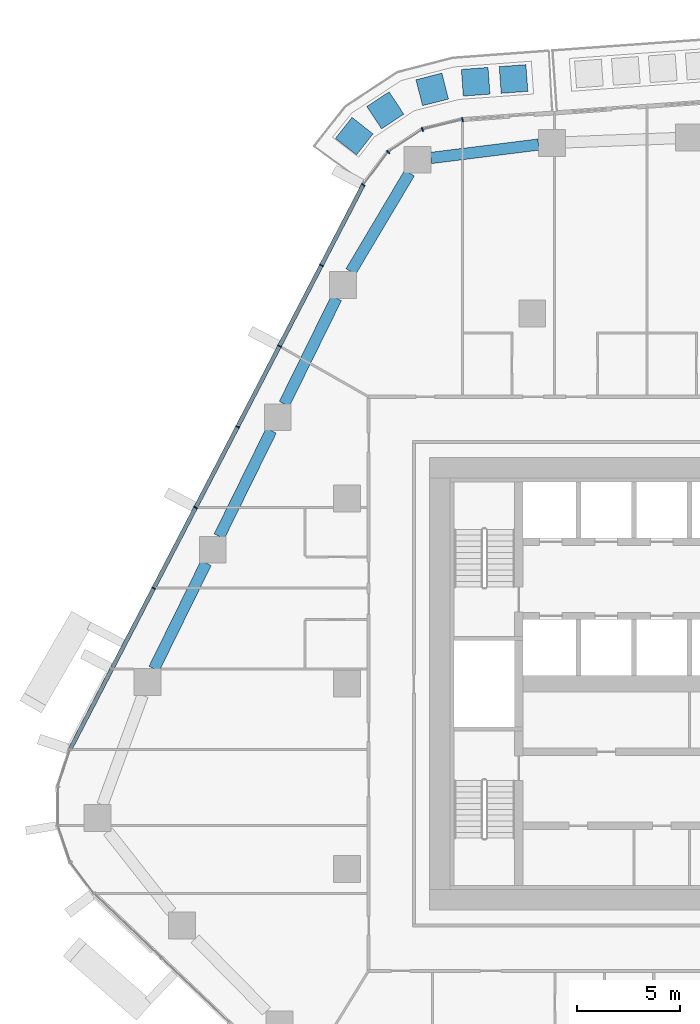
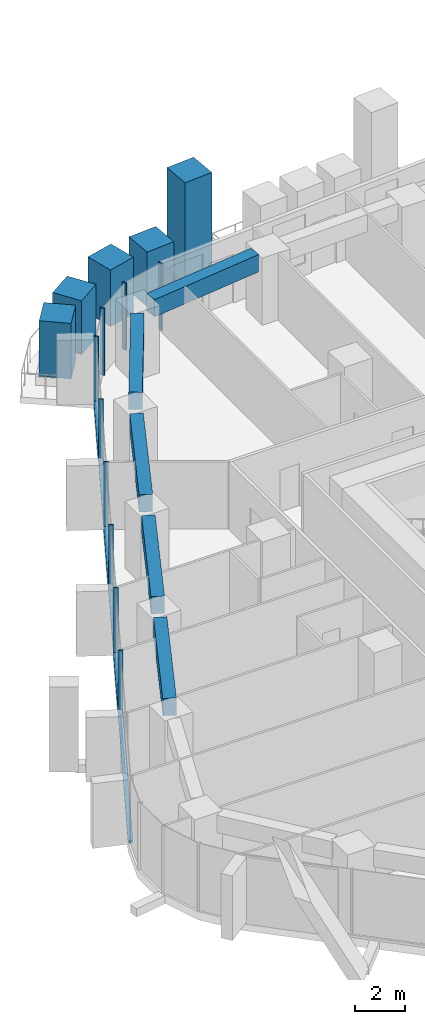
# One storey, part 6 of 24: 15 members, 5 beams, 2 elements without a shape of their own.
"""IFC4 building model written with IfcOpenShell, lengths in metres."""

from ifc_helpers import new_model, si_unit, direction, frame, origin, origin_2d, place, context, subcontext, project, spatial, rectangle, extrude, material, layer, layer_set, material_profile, profile_set, type_object, element, aggregate, save


model = new_model("IFC4")

# Units and contexts
model_context = context("Model", 3, precision=1e-05, world=origin(), true_north=direction((0.0, 1.0)))
body_context = subcontext(model_context, "Body", "Model", "MODEL_VIEW")
ifc_project = project(units=[si_unit("LENGTHUNIT", "METRE"), si_unit("AREAUNIT", "SQUARE_METRE"), si_unit("VOLUMEUNIT", "CUBIC_METRE"), si_unit("PLANEANGLEUNIT", "RADIAN"), si_unit("MASSUNIT", "GRAM", prefix="KILO")], contexts=[model_context])

# Site, building, storey
site_placement = place(None, origin())
site = spatial("IfcSite", under=ifc_project, at=site_placement, CompositionType="ELEMENT")
building_placement = place(site_placement, origin())
building = spatial("IfcBuilding", under=site, at=building_placement, Name="Dongbaek Canopy Tower", CompositionType="ELEMENT")
storey_placement = place(building_placement, frame((0.0, 0.0, 113.699951171875)))
storey = spatial("IfcBuildingStorey", under=building, at=storey_placement, Name="L24", CompositionType="ELEMENT", Elevation=113.699951171875)

# Curtain wall, members
ifc_material_1 = material(Name="Aluminium 6063-T6 pale anodised", Category="aluminium")
ifc_layer = layer(ifc_material_1, 0.199951171875)
ifc_layer_set = layer_set([ifc_layer], Name="CW-1 unitised tower curtain wall")
curtain_wall_type = type_object("IfcCurtainWallType", Name="CW-1 unitised tower curtain wall", PredefinedType="NOTDEFINED", material=ifc_layer_set)
curtain_wall_1_placement = place(storey_placement, origin())
curtain_wall_1 = element("IfcCurtainWall", 1, at=curtain_wall_1_placement, inside=storey, type_object=curtain_wall_type, Name="CW-1 curtain wall K2.1", PredefinedType="NOTDEFINED")
ifc_material_2 = material(Name="Aluminium 6063-T6 pale anodised", Category="aluminium")
ifc_material_profile_1 = material_profile(ifc_material_2, rectangle(XDim=0.199951171875, YDim=0.06005859375, at=origin_2d()), Name="CW-1 mullion 60 x 200")
ifc_profile_set_1 = profile_set([ifc_material_profile_1], Name="Aluminium 6063-T6 pale anodised")
member_type_1 = type_object("IfcMemberType", Name="CW-1 mullion 60 x 200", PredefinedType="MULLION", material=ifc_profile_set_1)
member_1_placement = place(storey_placement, frame((-12.38671875, 27.42138671875, 0.0), z_axis=(0.0, 0.0, 1.0), x_axis=(-0.239455911379, 0.970907238878, 0.0)))
member_1 = element("IfcMember", 2, at=member_1_placement, type_object=member_type_1, Name="CW-1 mullion K2.1.1", PredefinedType="MULLION", context=body_context, shape_type="SweptSolid", body=[
    extrude(rectangle(XDim=0.199951171875, YDim=0.06005859375, at=origin_2d()), origin(), (0.0, 0.0, 1.0), 3.300048828125),
])
member_2_placement = place(storey_placement, frame((-14.3330078125, 26.94140625, 0.0), z_axis=(0.0, 0.0, 1.0), x_axis=(-0.400265324949, 0.916399295964, 0.0)))
member_2 = element("IfcMember", 3, at=member_2_placement, type_object=member_type_1, Name="CW-1 mullion K2.1.2", PredefinedType="MULLION", context=body_context, shape_type="SweptSolid", body=[
    extrude(rectangle(XDim=0.199951171875, YDim=0.06005859375, at=origin_2d()), origin(), (0.0, 0.0, 1.0), 3.300048828125),
])
member_3_placement = place(storey_placement, frame((-16.00048828125, 25.8447265625, 0.0), z_axis=(0.0, 0.0, 1.0), x_axis=(-0.68296070832, 0.730455112167, 0.0)))
member_3 = element("IfcMember", 4, at=member_3_placement, type_object=member_type_1, Name="CW-1 mullion K2.1.3", PredefinedType="MULLION", context=body_context, shape_type="SweptSolid", body=[
    extrude(rectangle(XDim=0.199951171875, YDim=0.06005859375, at=origin_2d()), origin(), (0.0, 0.0, 1.0), 3.300048828125),
])
member_4_placement = place(storey_placement, frame((-17.2119140625, 24.24755859375, 0.0), z_axis=(0.0, 0.0, 1.0), x_axis=(-0.796696348772, 0.60437978776, 0.0)))
member_4 = element("IfcMember", 5, at=member_4_placement, type_object=member_type_1, Name="CW-1 mullion K2.1.4", PredefinedType="MULLION", context=body_context, shape_type="SweptSolid", body=[
    extrude(rectangle(XDim=0.199951171875, YDim=0.06005859375, at=origin_2d()), origin(), (0.0, 0.0, 1.0), 3.300048828125),
])
aggregate(curtain_wall_1, [member_1, member_2, member_3, member_4])

curtain_wall_2_placement = place(storey_placement, origin())
curtain_wall_2 = element("IfcCurtainWall", 6, at=curtain_wall_2_placement, inside=storey, type_object=curtain_wall_type, Name="CW-1 curtain wall F2.1", PredefinedType="NOTDEFINED")
member_5_placement = place(storey_placement, frame((-19.244873046875, 20.333251953125, 0.1201171875), z_axis=(0.0, 0.0, 1.0), x_axis=(-0.887462609411, 0.460879720641, 0.0)))
member_5 = element("IfcMember", 7, at=member_5_placement, type_object=member_type_1, Name="CW-1 mullion F2.1.2", PredefinedType="MULLION", context=body_context, shape_type="SweptSolid", body=[
    extrude(rectangle(XDim=0.199951171875, YDim=0.06005859375, at=origin_2d()), origin(), (0.0, 0.0, 1.0), 3.179931640625),
])
member_6_placement = place(storey_placement, frame((-21.281494140625, 16.411376953125, 0.1201171875), z_axis=(0.0, 0.0, 1.0), x_axis=(-0.887462609411, 0.460879720641, 0.0)))
member_6 = element("IfcMember", 8, at=member_6_placement, type_object=member_type_1, Name="CW-1 mullion F2.1.3", PredefinedType="MULLION", context=body_context, shape_type="SweptSolid", body=[
    extrude(rectangle(XDim=0.199951171875, YDim=0.06005859375, at=origin_2d()), origin(), (0.0, 0.0, 1.0), 3.179931640625),
])
member_7_placement = place(storey_placement, frame((-23.318115234375, 12.489501953125, 0.1201171875), z_axis=(0.0, 0.0, 1.0), x_axis=(-0.887462609411, 0.460879720641, 0.0)))
member_7 = element("IfcMember", 9, at=member_7_placement, type_object=member_type_1, Name="CW-1 mullion F2.1.4", PredefinedType="MULLION", context=body_context, shape_type="SweptSolid", body=[
    extrude(rectangle(XDim=0.199951171875, YDim=0.06005859375, at=origin_2d()), origin(), (0.0, 0.0, 1.0), 3.179931640625),
])
member_8_placement = place(storey_placement, frame((-25.35498046875, 8.567626953125, 0.1201171875), z_axis=(0.0, 0.0, 1.0), x_axis=(-0.887462609411, 0.460879720641, 0.0)))
member_8 = element("IfcMember", 10, at=member_8_placement, type_object=member_type_1, Name="CW-1 mullion F2.1.5", PredefinedType="MULLION", context=body_context, shape_type="SweptSolid", body=[
    extrude(rectangle(XDim=0.199951171875, YDim=0.06005859375, at=origin_2d()), origin(), (0.0, 0.0, 1.0), 3.179931640625),
])
member_9_placement = place(storey_placement, frame((-27.3916015625, 4.645751953125, 0.1201171875), z_axis=(0.0, 0.0, 1.0), x_axis=(-0.887462609411, 0.460879720641, 0.0)))
member_9 = element("IfcMember", 11, at=member_9_placement, type_object=member_type_1, Name="CW-1 mullion F2.1.6", PredefinedType="MULLION", context=body_context, shape_type="SweptSolid", body=[
    extrude(rectangle(XDim=0.199951171875, YDim=0.06005859375, at=origin_2d()), origin(), (0.0, 0.0, 1.0), 3.179931640625),
])
ifc_material_3 = material(Name="Aluminium 6063-T6 pale anodised", Category="aluminium")
ifc_material_profile_2 = material_profile(ifc_material_3, rectangle(XDim=0.199951171875, YDim=0.1201171875, at=origin_2d()), Name="CW-1 transom 120 x 200")
ifc_profile_set_2 = profile_set([ifc_material_profile_2], Name="Aluminium 6063-T6 pale anodised")
member_type_2 = type_object("IfcMemberType", Name="CW-1 transom 120 x 200", PredefinedType="USERDEFINED", material=ifc_profile_set_2)
member_10_placement = place(storey_placement, frame((-17.2119140625, 24.24755859375, 0.06005859375), z_axis=(-0.460881771235, -0.887461544487, 0.0), x_axis=(0.887461544487, -0.460881771235, 0.0)))
member_10 = element("IfcMember", 12, at=member_10_placement, type_object=member_type_2, Name="CW-1 transom F2.1.1", ObjectType="TRANSOM", PredefinedType="USERDEFINED", context=body_context, shape_type="SweptSolid", body=[
    extrude(rectangle(XDim=0.199951171875, YDim=0.1201171875, at=origin_2d()), origin(), (0.0, 0.0, 1.0), 30.91796875),
])
aggregate(curtain_wall_2, [member_5, member_6, member_7, member_8, member_9, member_10])

# Beams
ifc_material_4 = material(Name="Concrete C80", Category="concrete")
ifc_material_profile_3 = material_profile(ifc_material_4, rectangle(XDim=0.550048828125, YDim=0.85009765625, at=origin_2d()), Name="RC EDGE BEAM 550x850 C80")
ifc_profile_set_3 = profile_set([ifc_material_profile_3], Name="Concrete C80")
beam_type = type_object("IfcBeamType", Name="RC EDGE BEAM 550x850 C80", PredefinedType="BEAM", material=ifc_profile_set_3)
beam_1_placement = place(storey_placement, frame((-27.373291015625, 0.73291015625, 2.875), z_axis=(0.441213203353, 0.89740231178, 0.0), x_axis=(-0.89740231178, 0.441213203353, 0.0)))
element("IfcBeam", 13, at=beam_1_placement, inside=storey, type_object=beam_type, Name="EDGEBEAM:L24:09", PredefinedType="BEAM", context=body_context, shape_type="SweptSolid", body=[
    extrude(rectangle(XDim=0.550048828125, YDim=0.85009765625, at=origin_2d()), origin(), (0.0, 0.0, 1.0), 5.72216796875),
])
beam_2_placement = place(storey_placement, frame((-24.209228515625, 7.16796875, 2.875), z_axis=(0.441418224378, 0.897301482885, 0.0), x_axis=(-0.897301482885, 0.441418224378, 0.0)))
element("IfcBeam", 14, at=beam_2_placement, inside=storey, type_object=beam_type, Name="EDGEBEAM:L24:10", PredefinedType="BEAM", context=body_context, shape_type="SweptSolid", body=[
    extrude(rectangle(XDim=0.550048828125, YDim=0.85009765625, at=origin_2d()), origin(), (0.0, 0.0, 1.0), 5.7216796875),
])
beam_3_placement = place(storey_placement, frame((-21.044189453125, 13.60205078125, 2.875), z_axis=(0.441383867887, 0.89731838339, 0.0), x_axis=(-0.89731838339, 0.441383867887, 0.0)))
element("IfcBeam", 15, at=beam_3_placement, inside=storey, type_object=beam_type, Name="EDGEBEAM:L24:11", PredefinedType="BEAM", context=body_context, shape_type="SweptSolid", body=[
    extrude(rectangle(XDim=0.550048828125, YDim=0.85009765625, at=origin_2d()), origin(), (0.0, 0.0, 1.0), 5.721435546875),
])
beam_4_placement = place(storey_placement, frame((-17.81201171875, 20.035888671875, 2.875), z_axis=(0.511514682827, 0.859274536602, 0.0), x_axis=(-0.859274536602, 0.511514682827, 0.0)))
element("IfcBeam", 16, at=beam_4_placement, inside=storey, type_object=beam_type, Name="EDGEBEAM:L24:12", PredefinedType="BEAM", context=body_context, shape_type="SweptSolid", body=[
    extrude(rectangle(XDim=0.550048828125, YDim=0.85009765625, at=origin_2d()), origin(), (0.0, 0.0, 1.0), 5.570068359375),
])
beam_5_placement = place(storey_placement, frame((-13.926025390625, 25.55322265625, 2.875), z_axis=(0.992297087152, 0.123880954265, 0.0), x_axis=(-0.123880954265, 0.992297087152, 0.0)))
element("IfcBeam", 17, at=beam_5_placement, inside=storey, type_object=beam_type, Name="EDGEBEAM:L24:13", PredefinedType="BEAM", context=body_context, shape_type="SweptSolid", body=[
    extrude(rectangle(XDim=0.550048828125, YDim=0.85009765625, at=origin_2d()), origin(), (0.0, 0.0, 1.0), 5.275634765625),
])

# Members
ifc_material_5 = material(Name="Concrete C40/50 planter mass with planting", Category="concrete")
ifc_material_profile_4 = material_profile(ifc_material_5, rectangle(XDim=1.300048828125, YDim=1.300048828125, at=origin_2d()), Name="Terrace PLANTER shrub mass 1300 x 1300")
ifc_profile_set_4 = profile_set([ifc_material_profile_4], Name="Concrete C40/50 planter mass with planting")
member_type_3 = type_object("IfcMemberType", Name="Terrace PLANTER shrub mass 1300 x 1300", PredefinedType="USERDEFINED", material=ifc_profile_set_4)
member_11_placement = place(storey_placement, frame((-9.905517578125, 29.39306640625, 0.420166015625), z_axis=(0.0, 0.0, 1.0), x_axis=(-0.073391445564, 0.997303211525, 0.0)))
element("IfcMember", 18, at=member_11_placement, inside=storey, type_object=member_type_3, Name="Planter tree L24 7.1", ObjectType="PLANTER", PredefinedType="USERDEFINED", context=body_context, shape_type="SweptSolid", body=[
    extrude(rectangle(XDim=1.300048828125, YDim=1.300048828125, at=origin_2d()), origin(), (0.0, 0.0, 1.0), 5.369873046875),
])
member_12_placement = place(storey_placement, frame((-11.74609375, 29.257568359375, 0.420166015625), z_axis=(0.0, 0.0, 1.0), x_axis=(-0.073391445564, 0.997303211525, 0.0)))
element("IfcMember", 19, at=member_12_placement, inside=storey, type_object=member_type_3, Name="Planter shrubs L24 7.2", ObjectType="PLANTER", PredefinedType="USERDEFINED", context=body_context, shape_type="SweptSolid", body=[
    extrude(rectangle(XDim=1.300048828125, YDim=1.300048828125, at=origin_2d()), origin(), (0.0, 0.0, 1.0), 2.68994140625),
])
member_13_placement = place(storey_placement, frame((-13.858154296875, 28.886474609375, 0.420166015625), z_axis=(0.0, 0.0, 1.0), x_axis=(-0.246657305715, 0.969102767274, 0.0)))
element("IfcMember", 20, at=member_13_placement, inside=storey, type_object=member_type_3, Name="Planter shrubs L24 7.3", ObjectType="PLANTER", PredefinedType="USERDEFINED", context=body_context, shape_type="SweptSolid", body=[
    extrude(rectangle(XDim=1.300048828125, YDim=1.300048828125, at=origin_2d()), origin(), (0.0, 0.0, 1.0), 2.77978515625),
])
member_14_placement = place(storey_placement, frame((-16.136962890625, 27.8681640625, 0.420166015625), z_axis=(0.0, 0.0, 1.0), x_axis=(-0.54953477566, 0.835470843501, 0.0)))
element("IfcMember", 21, at=member_14_placement, inside=storey, type_object=member_type_3, Name="Planter shrubs L24 7.4", ObjectType="PLANTER", PredefinedType="USERDEFINED", context=body_context, shape_type="SweptSolid", body=[
    extrude(rectangle(XDim=1.300048828125, YDim=1.300048828125, at=origin_2d()), origin(), (0.0, 0.0, 1.0), 2.64990234375),
])
member_15_placement = place(storey_placement, frame((-17.646484375, 26.616455078125, 0.420166015625), z_axis=(0.0, 0.0, 1.0), x_axis=(-0.785793501252, 0.618488943628, 0.0)))
element("IfcMember", 22, at=member_15_placement, inside=storey, type_object=member_type_3, Name="Planter shrubs L24 7.5", ObjectType="PLANTER", PredefinedType="USERDEFINED", context=body_context, shape_type="SweptSolid", body=[
    extrude(rectangle(XDim=1.300048828125, YDim=1.300048828125, at=origin_2d()), origin(), (0.0, 0.0, 1.0), 2.72998046875),
])

save(model, "model.ifc")
